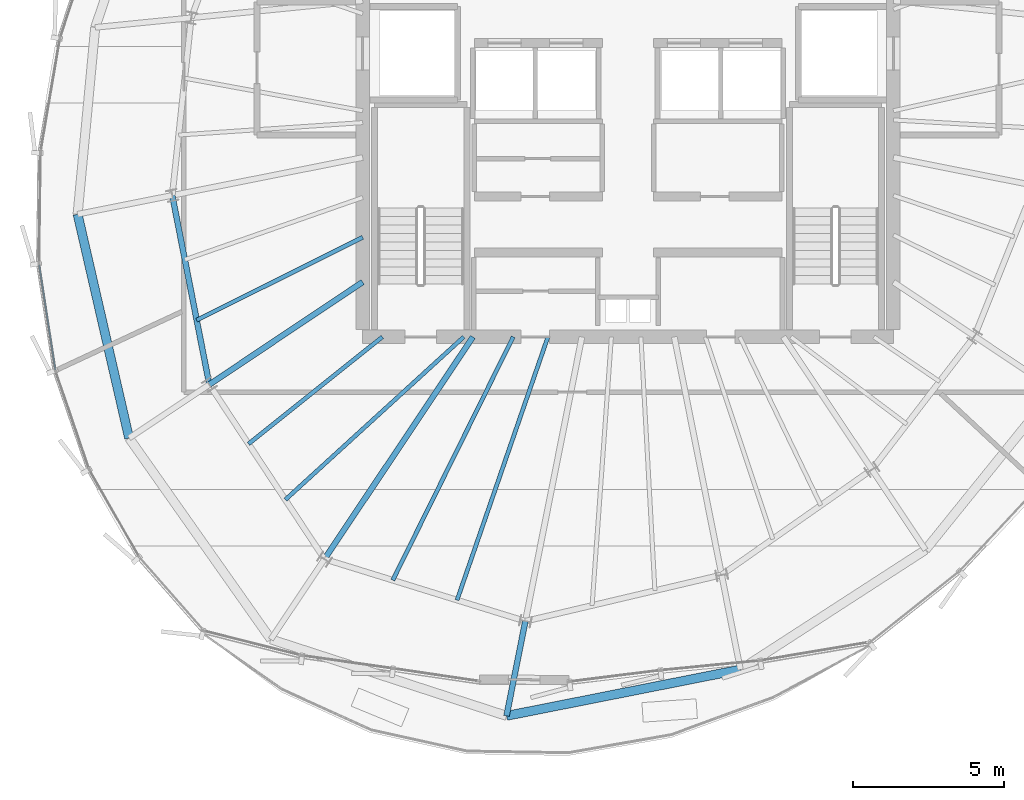
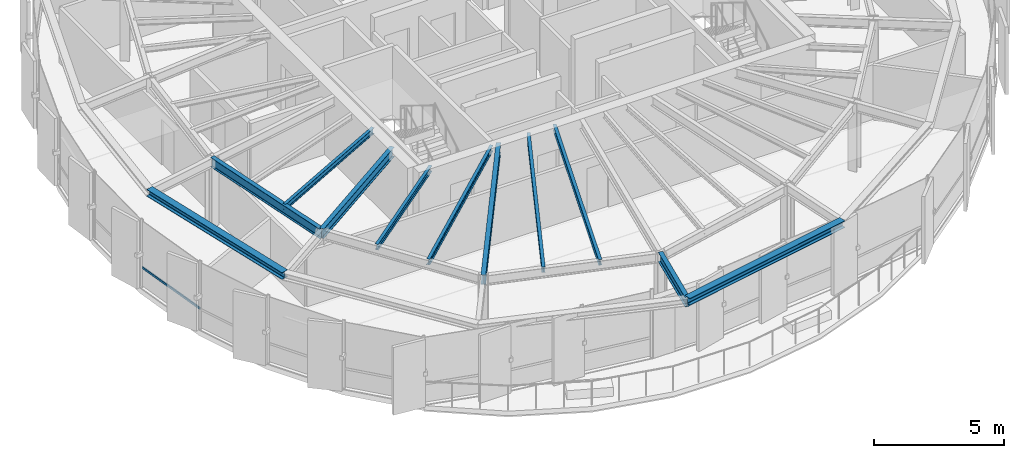
# One storey, part 5 of 32: 11 beams, 1 member, 1 element without a shape of its own.
"""IFC4 building model written with IfcOpenShell, lengths in metres."""

import ifcopenshell
import ifcopenshell.guid

model = None  # the IFC model being written
_history = None  # IfcOwnerHistory: only IFC2X3 demands one
_inside = {}  # id of a spatial element -> (the spatial element, [elements in it])
_under = {}  # id of a project, library or spatial element -> (it, [spatial elements below it])
_declared = {}  # id of a project -> (the project, [libraries it declares])
_typed = {}  # id of a type object -> (the type object, [elements of that type])
_made_of = {}  # id of a material, layer set ... -> (it, [elements and type objects made of it])


def new_model(schema):
    """Start an empty IFC model of exactly this schema.

    Asked for "IFC4X3", IfcOpenShell would pick the latest addendum, in which some entities
    have other attributes; the version numbers below select the first issue.
    IFC2X3 requires an IfcOwnerHistory on every rooted entity: one is made here for all.
    """
    global model, _history
    if schema == "IFC4X3":
        model = ifcopenshell.file(schema_version=(4, 3, 0, 0))
    else:
        model = ifcopenshell.file(schema=schema)
    _inside.clear()
    _under.clear()
    _declared.clear()
    _typed.clear()
    _made_of.clear()
    _history = None
    if model.schema == "IFC2X3":
        org = make("IfcOrganization", Name="unknown")
        user = make(
            "IfcPersonAndOrganization",
            ThePerson=make("IfcPerson", FamilyName="unknown"),
            TheOrganization=org,
        )
        app = make(
            "IfcApplication",
            ApplicationDeveloper=org,
            Version="unknown",
            ApplicationFullName="unknown",
            ApplicationIdentifier="unknown",
        )
        _history = make(
            "IfcOwnerHistory",
            OwningUser=user,
            OwningApplication=app,
            ChangeAction="ADDED",
            CreationDate=0,
        )
    return model


def make(cls, **values):
    """One entity of the class cls with the attributes given. An attribute that is None is left unset."""
    return model.create_entity(
        cls, **{name: value for name, value in values.items() if value is not None}
    )


def rooted(cls, **values):
    """An entity with a GlobalId (a new one), such as an element, a storey or a relation."""
    return make(cls, GlobalId=ifcopenshell.guid.new(), OwnerHistory=_history, **values)


def si_unit(unit_type, name, prefix=None):
    """IfcSIUnit, for example si_unit("LENGTHUNIT", "METRE", prefix="MILLI")."""
    return make("IfcSIUnit", UnitType=unit_type, Prefix=prefix, Name=name)


def assignment(units):
    """IfcUnitAssignment: the units of a project."""
    return None if units is None else make("IfcUnitAssignment", Units=units)


def point(xyz):
    """IfcCartesianPoint."""
    return None if xyz is None else make("IfcCartesianPoint", Coordinates=xyz)


def direction(xyz):
    """IfcDirection."""
    return None if xyz is None else make("IfcDirection", DirectionRatios=xyz)


def frame(location, z_axis=None, x_axis=None):
    """IfcAxis2Placement3D, a coordinate frame: its origin and axes. An axis left out is left unset."""
    return make(
        "IfcAxis2Placement3D",
        Location=point(location),
        Axis=direction(z_axis),
        RefDirection=direction(x_axis),
    )


def frame_2d(location, x_axis=None):
    """IfcAxis2Placement2D, a coordinate frame in the plane: its origin and x axis."""
    return make(
        "IfcAxis2Placement2D", Location=point(location), RefDirection=direction(x_axis)
    )


def origin():
    """The frame at (0, 0, 0) with its axes left unset."""
    return frame((0.0, 0.0, 0.0))


def origin_2d():
    """The frame at (0, 0) in the plane with its x axis left unset."""
    return frame_2d((0.0, 0.0))


def place(relative_to, where):
    """IfcLocalPlacement: puts the frame where relative to a parent placement (None: the world)."""
    return make(
        "IfcLocalPlacement", PlacementRelTo=relative_to, RelativePlacement=where
    )


def context(
    kind, dimensions, precision=None, world=None, true_north=None, identifier=None
):
    """IfcGeometricRepresentationContext, for example the 3D "Model" context."""
    return make(
        "IfcGeometricRepresentationContext",
        ContextIdentifier=identifier,
        ContextType=kind,
        CoordinateSpaceDimension=dimensions,
        Precision=precision,
        WorldCoordinateSystem=world,
        TrueNorth=true_north,
    )


def subcontext(parent, identifier, kind, view, scale=None):
    """IfcGeometricRepresentationSubContext, for example "Body" below "Model"."""
    return make(
        "IfcGeometricRepresentationSubContext",
        ContextIdentifier=identifier,
        ContextType=kind,
        ParentContext=parent,
        TargetScale=scale,
        TargetView=view,
    )


def project(units=None, contexts=None):
    """IfcProject with its units and contexts."""
    return rooted(
        "IfcProject",
        Name="project",
        RepresentationContexts=contexts,
        UnitsInContext=assignment(units),
    )


def spatial(cls, under=None, at=None, **own):
    """A site, building, storey or space (cls), placed at a placement, below another one or the project."""
    s = rooted(cls, ObjectPlacement=at, **own)
    if under is not None:
        _under.setdefault(under.id(), (under, []))[1].append(s)
    return s


def profile(cls, at=None, kind="AREA", **sizes):
    """A parametric profile (cls). Its sizes go by their IFC names, for example OverallWidth=200.0."""
    return make(cls, ProfileType=kind, Position=at, **sizes)


def hollow_rectangle(**sizes):
    """IfcRectangleHollowProfileDef."""
    return profile("IfcRectangleHollowProfileDef", **sizes)


def i_section(**sizes):
    """IfcIShapeProfileDef."""
    return profile("IfcIShapeProfileDef", **sizes)


def extrude(swept, where, along, depth):
    """IfcExtrudedAreaSolid: the profile swept, set in the frame where, extruded along a direction by depth."""
    return make(
        "IfcExtrudedAreaSolid",
        SweptArea=swept,
        Position=where,
        ExtrudedDirection=direction(along),
        Depth=depth,
    )


def shape(context_of_items, identifier, shape_type, items):
    """IfcShapeRepresentation: the items that make up one representation, for example the "Body"."""
    return make(
        "IfcShapeRepresentation",
        ContextOfItems=context_of_items,
        RepresentationIdentifier=identifier,
        RepresentationType=shape_type,
        Items=items,
    )


def source(mapping_origin, context_of_items, identifier, shape_type, items):
    """IfcRepresentationMap: a shape defined once, which mapped items show again and again."""
    return make(
        "IfcRepresentationMap",
        MappingOrigin=mapping_origin,
        MappedRepresentation=shape(context_of_items, identifier, shape_type, items),
    )


def transform(
    local_origin,
    x_axis=None,
    y_axis=None,
    z_axis=None,
    scale=None,
    scale2=None,
    scale3=None,
    uniform=True,
):
    """IfcCartesianTransformationOperator3D, or its non-uniform kind. x_axis, y_axis, z_axis: its Axis1, 2, 3."""
    if uniform:
        return make(
            "IfcCartesianTransformationOperator3D",
            Axis1=direction(x_axis),
            Axis2=direction(y_axis),
            LocalOrigin=point(local_origin),
            Scale=scale,
            Axis3=direction(z_axis),
        )
    return make(
        "IfcCartesianTransformationOperator3DnonUniform",
        Axis1=direction(x_axis),
        Axis2=direction(y_axis),
        LocalOrigin=point(local_origin),
        Scale=scale,
        Axis3=direction(z_axis),
        Scale2=scale2,
        Scale3=scale3,
    )


def mapped(mapping_source, mapping_target):
    """IfcMappedItem: shows the shape of a source again, moved by a transform."""
    return make(
        "IfcMappedItem", MappingSource=mapping_source, MappingTarget=mapping_target
    )


def material(Name=None, Category=None):
    """IfcMaterial."""
    return make("IfcMaterial", Name=Name, Category=Category)


def layer(
    of_material, thickness, ventilated=None, Name=None, Category=None, Priority=None
):
    """IfcMaterialLayer: one layer of a wall or slab, of a material (None: an air gap)."""
    return make(
        "IfcMaterialLayer",
        Material=of_material,
        LayerThickness=thickness,
        IsVentilated=ventilated,
        Name=Name,
        Category=Category,
        Priority=Priority,
    )


def layer_set(layers, Name=None):
    """IfcMaterialLayerSet."""
    return make("IfcMaterialLayerSet", MaterialLayers=layers, LayerSetName=Name)


def material_profile(
    of_material, cross_section, Name=None, Category=None, Priority=None
):
    """IfcMaterialProfile: a cross section and its material."""
    return make(
        "IfcMaterialProfile",
        Name=Name,
        Material=of_material,
        Profile=cross_section,
        Priority=Priority,
        Category=Category,
    )


def profile_set(profiles, Name=None, composite=None):
    """IfcMaterialProfileSet."""
    return make(
        "IfcMaterialProfileSet",
        Name=Name,
        MaterialProfiles=profiles,
        CompositeProfile=composite,
    )


def made_of(thing, what):
    """Note that an element or type object is made of a material, layer set ...; save() writes the relation."""
    if what is not None:
        _made_of.setdefault(what.id(), (what, []))[1].append(thing)
    return thing


def type_object(cls, material=None, **own):
    """A type object (cls), such as IfcWallType, which elements share."""
    return made_of(rooted(cls, **own), material)


def element(
    cls,
    number,
    at=None,
    inside=None,
    cuts=None,
    type_object=None,
    material=None,
    context=None,
    identifier="Body",
    shape_type=None,
    held_by="IfcProductDefinitionShape",
    body=None,
    shapes=None,
    **own,
):
    """One element of the class cls, such as IfcWall. Its Tag is "e" and its number.

    at: its placement. inside: the storey or other place that contains it. cuts: it is an
    opening in that element (IfcRelVoidsElement). A single representation is given by context,
    identifier, shape_type and body (its items); several are given by shapes. held_by: the class
    of the entity that holds the representations. save() writes the other relations.
    """
    e = rooted(cls, Tag="e%d" % number, ObjectPlacement=at, **own)
    if body is not None:
        shapes = [shape(context, identifier, shape_type, body)]
    if shapes is not None:
        e.Representation = make(held_by, Representations=shapes)
    if inside is not None:
        _inside.setdefault(inside.id(), (inside, []))[1].append(e)
    if cuts is not None:
        rooted(
            "IfcRelVoidsElement", RelatingBuildingElement=cuts, RelatedOpeningElement=e
        )
    if type_object is not None:
        _typed.setdefault(type_object.id(), (type_object, []))[1].append(e)
    return made_of(e, material)


def aggregate(whole, parts):
    """IfcRelAggregates: a whole, such as a stair, and the parts it consists of."""
    return rooted("IfcRelAggregates", RelatingObject=whole, RelatedObjects=parts)


def save(model, path):
    """Write the relations noted so far, then the file.

    IfcRelAggregates (storeys below a building ...), IfcRelContainedInSpatialStructure (elements
    in a storey), IfcRelDefinesByType, IfcRelAssociatesMaterial and IfcRelDeclares: one each for
    every whole, place, type object, material and project.
    """
    for whole, parts in _under.values():
        aggregate(whole, parts)
    for where, things in _inside.values():
        rooted(
            "IfcRelContainedInSpatialStructure",
            RelatedElements=things,
            RelatingStructure=where,
        )
    for kind, things in _typed.values():
        rooted("IfcRelDefinesByType", RelatedObjects=things, RelatingType=kind)
    for what, things in _made_of.values():
        rooted("IfcRelAssociatesMaterial", RelatedObjects=things, RelatingMaterial=what)
    for by, libraries in _declared.values():
        rooted("IfcRelDeclares", RelatingContext=by, RelatedDefinitions=libraries)
    model.write(path)


model = new_model("IFC4")

# Units and contexts
model_context = context("Model", 3, precision=1e-05, world=origin(), true_north=direction((0.0, 1.0)))
body_context = subcontext(model_context, "Body", "Model", "MODEL_VIEW")
ifc_project = project(units=[si_unit("LENGTHUNIT", "METRE"), si_unit("AREAUNIT", "SQUARE_METRE"), si_unit("VOLUMEUNIT", "CUBIC_METRE"), si_unit("PLANEANGLEUNIT", "RADIAN"), si_unit("MASSUNIT", "GRAM", prefix="KILO"), si_unit("THERMODYNAMICTEMPERATUREUNIT", "KELVIN")], contexts=[model_context])

# Site, building, storey
site_placement = place(None, origin())
site = spatial("IfcSite", under=ifc_project, at=site_placement, CompositionType="ELEMENT")
building_placement = place(site_placement, origin())
building = spatial("IfcBuilding", under=site, at=building_placement, Name="Kethvar Cultural Tower", CompositionType="ELEMENT")
storey_placement = place(building_placement, frame((0.0, 0.0, 273.25)))
storey = spatial("IfcBuildingStorey", under=building, at=storey_placement, Name="L72", CompositionType="ELEMENT", Elevation=273.25)

# Beams
ifc_material_1 = material(Name="Steel S355J2", Category="steel")
ifc_material_profile_1 = material_profile(ifc_material_1, i_section(OverallWidth=0.18994140625, OverallDepth=0.449951171875, WebThickness=0.009521484375, FlangeThickness=0.0146484375, FilletRadius=0.02099609375, at=origin_2d()), Name="Steel S355J2 — IPE450")
ifc_profile_set_1 = profile_set([ifc_material_profile_1], Name="Steel S355J2 — IPE450")
beam_type_1 = type_object("IfcBeamType", Name="BM-IPE450", PredefinedType="BEAM", material=ifc_profile_set_1)
shared_shape_1 = source(origin(), body_context, "Body", "SweptSolid", [
    extrude(i_section(OverallWidth=0.18994140625, OverallDepth=0.449951171875, WebThickness=0.009521484375, FlangeThickness=0.0146484375, FilletRadius=0.02099609375, at=origin_2d()), origin(), (0.0, 0.0, 1.0), 3.2001953125),
])
beam_1_placement = place(storey_placement, frame((43.392822265625, 10.67138671875, 2.98291015625), z_axis=(-0.195074368086, -0.980788453702, 0.0), x_axis=(0.980788453702, -0.195074368086, 0.0)))
element("IfcBeam", 1, at=beam_1_placement, inside=storey, type_object=beam_type_1, Name="L72 Perimeter Cantilever Beam RC-12", PredefinedType="BEAM", context=body_context, shape_type="MappedRepresentation", body=[
    mapped(shared_shape_1, transform((0.0, 0.0, 0.0), scale=1.0)),
])
shared_shape_2 = source(origin(), body_context, "Body", "SweptSolid", [
    extrude(i_section(OverallWidth=0.18994140625, OverallDepth=0.449951171875, WebThickness=0.009521484375, FlangeThickness=0.0146484375, FilletRadius=0.02099609375, at=origin_2d()), origin(), (0.0, 0.0, 1.0), 6.118408203125),
])
beam_2_placement = place(storey_placement, frame((38.0, 21.920166015625, 2.98291015625), z_axis=(-0.831466631282, -0.555574694406, 0.0), x_axis=(0.555574694406, -0.831466631282, 0.0)))
element("IfcBeam", 2, at=beam_2_placement, inside=storey, type_object=beam_type_1, Name="L72 Primary Radial Beam RB-10", PredefinedType="BEAM", context=body_context, shape_type="MappedRepresentation", body=[
    mapped(shared_shape_2, transform((0.0, 0.0, 0.0), scale=1.0)),
])
shared_shape_3 = source(origin(), body_context, "Body", "SweptSolid", [
    extrude(i_section(OverallWidth=0.18994140625, OverallDepth=0.449951171875, WebThickness=0.009521484375, FlangeThickness=0.0146484375, FilletRadius=0.02099609375, at=origin_2d()), origin(), (0.0, 0.0, 1.0), 8.86279296875),
])
beam_3_placement = place(storey_placement, frame((41.655029296875, 20.10009765625, 2.98291015625), z_axis=(-0.555564443415, -0.831473480764, 0.0), x_axis=(0.831473480764, -0.555564443415, 0.0)))
element("IfcBeam", 3, at=beam_3_placement, inside=storey, type_object=beam_type_1, Name="L72 Primary Radial Beam RB-11", PredefinedType="BEAM", context=body_context, shape_type="MappedRepresentation", body=[
    mapped(shared_shape_3, transform((0.0, 0.0, 0.0), scale=1.0)),
])
shared_shape_4 = source(origin(), body_context, "Body", "SweptSolid", [
    extrude(i_section(OverallWidth=0.18994140625, OverallDepth=0.449951171875, WebThickness=0.009521484375, FlangeThickness=0.0146484375, FilletRadius=0.02099609375, at=origin_2d()), origin(), (0.0, 0.0, 1.0), 6.391357421875),
])
beam_4_placement = place(storey_placement, frame((31.68310546875, 24.79296875, 2.98291015625), z_axis=(0.192405084368, -0.981315588131, 0.0), x_axis=(0.981315588131, 0.192405084368, 0.0)))
element("IfcBeam", 4, at=beam_4_placement, inside=storey, type_object=beam_type_1, Name="L72 Column Ring Tie Beam CR-09", PredefinedType="BEAM", context=body_context, shape_type="MappedRepresentation", body=[
    mapped(shared_shape_4, transform((0.0, 0.0, 0.0), scale=1.0)),
])
ifc_material_profile_2 = material_profile(ifc_material_1, i_section(OverallWidth=0.300048828125, OverallDepth=0.320068359375, WebThickness=0.011474609375, FlangeThickness=0.0205078125, FilletRadius=0.027099609375, at=origin_2d()), Name="Steel S355J2 — HEB320")
ifc_profile_set_2 = profile_set([ifc_material_profile_2], Name="Steel S355J2 — HEB320")
beam_type_2 = type_object("IfcBeamType", Name="BM-SP320", PredefinedType="SPANDREL", material=ifc_profile_set_2)
shared_shape_5 = source(origin(), body_context, "Body", "SweptSolid", [
    extrude(i_section(OverallWidth=0.300048828125, OverallDepth=0.320068359375, WebThickness=0.011474609375, FlangeThickness=0.0205078125, FilletRadius=0.027099609375, at=origin_2d()), origin(), (0.0, 0.0, 1.0), 7.619384765625),
])
beam_5_placement = place(storey_placement, frame((28.54443359375, 24.168701171875, 3.048095703125), z_axis=(0.224133998424, -0.974558336248, 0.0), x_axis=(0.974558336248, 0.224133998424, 0.0)))
element("IfcBeam", 5, at=beam_5_placement, inside=storey, type_object=beam_type_2, Name="L72 Perimeter Spandrel Beam SP-09", PredefinedType="SPANDREL", context=body_context, shape_type="MappedRepresentation", body=[
    mapped(shared_shape_5, transform((0.0, 0.0, 0.0), scale=1.0)),
])
ifc_material_profile_3 = material_profile(ifc_material_1, i_section(OverallWidth=0.135009765625, OverallDepth=0.27001953125, WebThickness=0.006591796875, FlangeThickness=0.01025390625, FilletRadius=0.014892578125, at=origin_2d()), Name="Steel S355J2 — IPE270")
ifc_profile_set_3 = profile_set([ifc_material_profile_3], Name="Steel S355J2 — IPE270")
beam_type_3 = type_object("IfcBeamType", Name="BM-J270", PredefinedType="JOIST", material=ifc_profile_set_3)
shared_shape_6 = source(origin(), body_context, "Body", "SweptSolid", [
    extrude(i_section(OverallWidth=0.135009765625, OverallDepth=0.27001953125, WebThickness=0.006591796875, FlangeThickness=0.01025390625, FilletRadius=0.014892578125, at=origin_2d()), origin(), (0.0, 0.0, 1.0), 6.154052734375),
])
beam_6_placement = place(storey_placement, frame((38.0, 23.40380859375, 3.072998046875), z_axis=(-0.89458581954, -0.446896197655, 0.0), x_axis=(0.446896197655, -0.89458581954, 0.0)))
element("IfcBeam", 6, at=beam_6_placement, inside=storey, type_object=beam_type_3, Name="L72 Composite Floor Joist J-09B", PredefinedType="JOIST", context=body_context, shape_type="MappedRepresentation", body=[
    mapped(shared_shape_6, transform((0.0, 0.0, 0.0), scale=1.0)),
])
shared_shape_7 = source(origin(), body_context, "Body", "SweptSolid", [
    extrude(i_section(OverallWidth=0.135009765625, OverallDepth=0.27001953125, WebThickness=0.006591796875, FlangeThickness=0.01025390625, FilletRadius=0.014892578125, at=origin_2d()), origin(), (0.0, 0.0, 1.0), 5.68212890625),
])
beam_7_placement = place(storey_placement, frame((38.64990234375, 20.10009765625, 3.072998046875), z_axis=(-0.781157957733, -0.624333440615, 0.0), x_axis=(0.624333440615, -0.781157957733, 0.0)))
element("IfcBeam", 7, at=beam_7_placement, inside=storey, type_object=beam_type_3, Name="L72 Composite Floor Joist J-10A", PredefinedType="JOIST", context=body_context, shape_type="MappedRepresentation", body=[
    mapped(shared_shape_7, transform((0.0, 0.0, 0.0), scale=1.0)),
])
shared_shape_8 = source(origin(), body_context, "Body", "SweptSolid", [
    extrude(i_section(OverallWidth=0.135009765625, OverallDepth=0.27001953125, WebThickness=0.006591796875, FlangeThickness=0.01025390625, FilletRadius=0.014892578125, at=origin_2d()), origin(), (0.0, 0.0, 1.0), 8.010986328125),
])
beam_8_placement = place(storey_placement, frame((41.35009765625, 20.10009765625, 3.072998046875), z_axis=(-0.738614798856, -0.674127717061, 0.0), x_axis=(0.674127717061, -0.738614798856, 0.0)))
element("IfcBeam", 8, at=beam_8_placement, inside=storey, type_object=beam_type_3, Name="L72 Composite Floor Joist J-10B", PredefinedType="JOIST", context=body_context, shape_type="MappedRepresentation", body=[
    mapped(shared_shape_8, transform((0.0, 0.0, 0.0), scale=1.0)),
])
shared_shape_9 = source(origin(), body_context, "Body", "SweptSolid", [
    extrude(i_section(OverallWidth=0.135009765625, OverallDepth=0.27001953125, WebThickness=0.006591796875, FlangeThickness=0.01025390625, FilletRadius=0.014892578125, at=origin_2d()), origin(), (0.0, 0.0, 1.0), 9.00341796875),
])
beam_9_placement = place(storey_placement, frame((42.989501953125, 20.10009765625, 3.072998046875), z_axis=(-0.443543695319, -0.896252749141, 0.0), x_axis=(0.896252749141, -0.443543695319, 0.0)))
element("IfcBeam", 9, at=beam_9_placement, inside=storey, type_object=beam_type_3, Name="L72 Composite Floor Joist J-11A", PredefinedType="JOIST", context=body_context, shape_type="MappedRepresentation", body=[
    mapped(shared_shape_9, transform((0.0, 0.0, 0.0), scale=1.0)),
])
shared_shape_10 = source(origin(), body_context, "Body", "SweptSolid", [
    extrude(i_section(OverallWidth=0.135009765625, OverallDepth=0.27001953125, WebThickness=0.006591796875, FlangeThickness=0.01025390625, FilletRadius=0.014892578125, at=origin_2d()), origin(), (0.0, 0.0, 1.0), 9.234130859375),
])
beam_10_placement = place(storey_placement, frame((44.1416015625, 20.10009765625, 3.072998046875), z_axis=(-0.326362208058, -0.945244787953, 0.0), x_axis=(0.945244787953, -0.326362208058, 0.0)))
element("IfcBeam", 10, at=beam_10_placement, inside=storey, type_object=beam_type_3, Name="L72 Composite Floor Joist J-11B", PredefinedType="JOIST", context=body_context, shape_type="MappedRepresentation", body=[
    mapped(shared_shape_10, transform((0.0, 0.0, 0.0), scale=1.0)),
])
shared_shape_11 = source(origin(), body_context, "Body", "SweptSolid", [
    extrude(i_section(OverallWidth=0.300048828125, OverallDepth=0.320068359375, WebThickness=0.011474609375, FlangeThickness=0.0205078125, FilletRadius=0.027099609375, at=origin_2d()), origin(), (0.0, 0.0, 1.0), 7.907958984375),
])
beam_11_placement = place(storey_placement, frame((42.7685546875, 7.53271484375, 3.048095703125), z_axis=(0.980963515828, 0.194192122948, 0.0), x_axis=(-0.194192122948, 0.980963515828, 0.0)))
element("IfcBeam", 11, at=beam_11_placement, inside=storey, type_object=beam_type_2, Name="L72 Perimeter Spandrel Beam SP-12", PredefinedType="SPANDREL", context=body_context, shape_type="MappedRepresentation", body=[
    mapped(shared_shape_11, transform((0.0, 0.0, 0.0), scale=1.0)),
])

# Curtain wall, member
ifc_material_2 = material(Name="Aluminium 6063-T6", Category="aluminium")
ifc_layer = layer(ifc_material_2, 0.179931640625, Name="Aluminium 6063-T6", Category="aluminium")
ifc_layer_set = layer_set([ifc_layer], Name="Aluminium 6063-T6 (180 mm)")
curtain_wall_type = type_object("IfcCurtainWallType", Name="CW-SYS-05-Z56", PredefinedType="NOTDEFINED", material=ifc_layer_set)
curtain_wall_placement = place(storey_placement, origin())
curtain_wall = element("IfcCurtainWall", 12, at=curtain_wall_placement, inside=storey, type_object=curtain_wall_type, Name="L72 Curtain Wall Run 03", PredefinedType="NOTDEFINED")
ifc_material_profile_4 = material_profile(ifc_material_2, hollow_rectangle(XDim=0.050048828125, YDim=0.10009765625, WallThickness=0.00390625, at=origin_2d()), Name="Aluminium 6063-T6 — RHS100x50x4")
ifc_profile_set_4 = profile_set([ifc_material_profile_4], Name="Aluminium 6063-T6 — RHS100x50x4")
member_type = type_object("IfcMemberType", Name="CW-SYS-05-Z56-TRN", PredefinedType="USERDEFINED", material=ifc_profile_set_4)
shared_shape_12 = source(origin(), body_context, "Body", "SweptSolid", [
    extrude(hollow_rectangle(XDim=0.050048828125, YDim=0.10009765625, WallThickness=0.00390625, at=origin_2d()), origin(), (0.0, 0.0, 1.0), 3.52685546875),
])
member_placement = place(storey_placement, frame((27.271484375, 22.490478515625, 0.949951171875), z_axis=(0.152015569783, -0.98837809898, 0.0), x_axis=(0.98837809898, 0.152015569783, 0.0)))
member = element("IfcMember", 13, at=member_placement, type_object=member_type, Name="CW-L72-R03 Transom 2", ObjectType="TRANSOM", PredefinedType="USERDEFINED", context=body_context, shape_type="MappedRepresentation", body=[
    mapped(shared_shape_12, transform((0.0, 0.0, 0.0), scale=1.0)),
])
aggregate(curtain_wall, [member])

save(model, "model.ifc")
